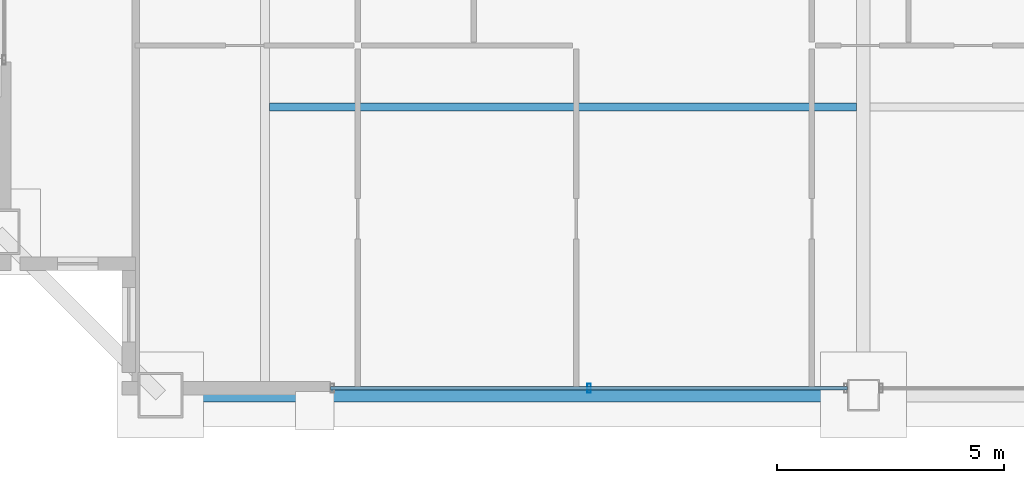
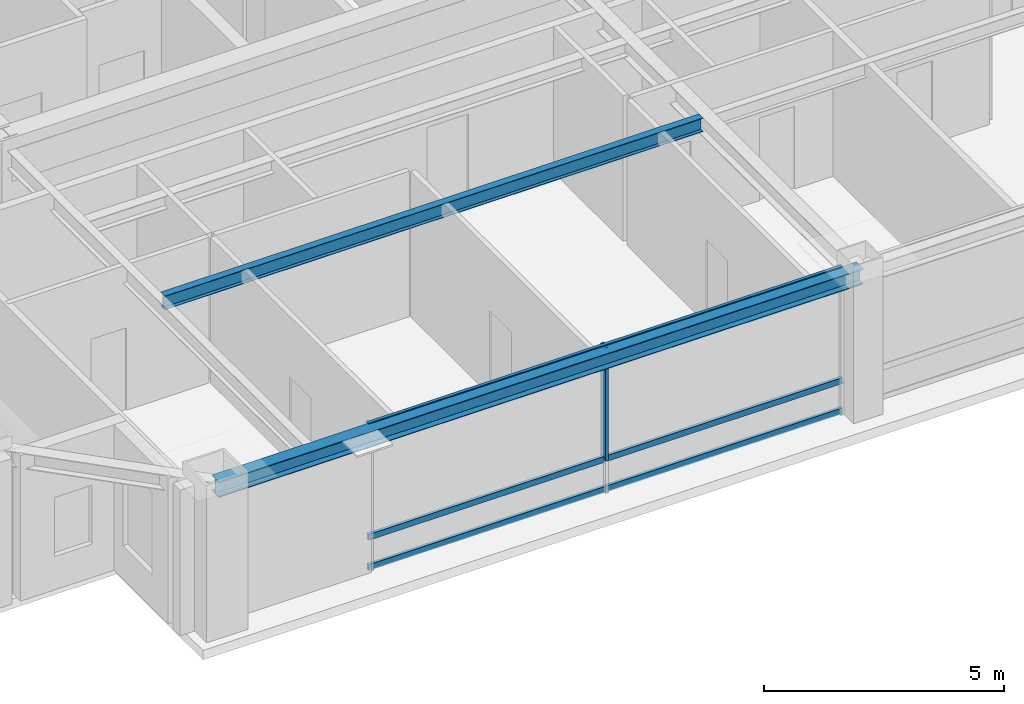
# One storey, part 5 of 34: 4 members, 2 beams, 1 element without a shape of its own.
"""IFC4 building model written with IfcOpenShell, lengths in metres."""

from ifc_helpers import new_model, si_unit, direction, frame, origin, origin_2d, place, context, subcontext, project, spatial, hollow_rectangle, i_section, extrude, source, transform, mapped, material, layer, layer_set, material_profile, profile_set, type_object, element, aggregate, save


model = new_model("IFC4")

# Units and contexts
model_context = context("Model", 3, precision=1e-05, world=origin(), true_north=direction((0.0, 1.0)))
body_context = subcontext(model_context, "Body", "Model", "MODEL_VIEW")
ifc_project = project(units=[si_unit("LENGTHUNIT", "METRE"), si_unit("AREAUNIT", "SQUARE_METRE"), si_unit("VOLUMEUNIT", "CUBIC_METRE"), si_unit("PLANEANGLEUNIT", "RADIAN"), si_unit("MASSUNIT", "GRAM", prefix="KILO"), si_unit("THERMODYNAMICTEMPERATUREUNIT", "KELVIN"), si_unit("POWERUNIT", "WATT")], contexts=[model_context])

# Site, building, storey
site_placement = place(None, origin())
site = spatial("IfcSite", under=ifc_project, at=site_placement, CompositionType="ELEMENT")
building_placement = place(site_placement, origin())
building = spatial("IfcBuilding", under=site, at=building_placement, Name="Yuzanri Waterfront Tower", CompositionType="ELEMENT")
storey_placement = place(building_placement, frame((0.0, 0.0, 347.199951171875)))
storey = spatial("IfcBuildingStorey", under=building, at=storey_placement, Name="L93", CompositionType="ELEMENT", Elevation=347.199951171875)

# Beams
ifc_material_1 = material(Name="Steel Q355B", Category="steel")
ifc_material_profile_1 = material_profile(ifc_material_1, i_section(OverallWidth=0.175048828125, OverallDepth=0.35009765625, WebThickness=0.007080078125, FlangeThickness=0.010986328125, at=origin_2d()), Name="HN 350x175x7x11")
ifc_profile_set_1 = profile_set([ifc_material_profile_1], Name="Steel Q355B")
beam_type_1 = type_object("IfcBeamType", Name="Floor Joist Q355B HN 350x175", PredefinedType="JOIST", material=ifc_profile_set_1)
shared_shape_1 = source(origin(), body_context, "Body", "SweptSolid", [
    extrude(i_section(OverallWidth=0.175048828125, OverallDepth=0.35009765625, WebThickness=0.007080078125, FlangeThickness=0.010986328125, at=origin_2d()), origin(), (0.0, 0.0, 1.0), 12.9501953125),
])
beam_1_placement = place(storey_placement, frame((23.89990234375, 13.050048828125, 3.525146484375), z_axis=(1.0, 0.0, 0.0), x_axis=(0.0, 1.0, 0.0)))
element("IfcBeam", 1, at=beam_1_placement, inside=storey, type_object=beam_type_1, Name="L93 South Bay Joist W", PredefinedType="JOIST", context=body_context, shape_type="MappedRepresentation", body=[
    mapped(shared_shape_1, transform((0.0, 0.0, 0.0), scale=1.0)),
])
ifc_material_2 = material(Name="Steel Q355B", Category="steel")
ifc_material_profile_2 = material_profile(ifc_material_2, i_section(OverallWidth=0.300048828125, OverallDepth=0.389892578125, WebThickness=0.010009765625, FlangeThickness=0.01611328125, at=origin_2d()), Name="HM 390x300x10x16")
ifc_profile_set_2 = profile_set([ifc_material_profile_2], Name="Steel Q355B")
beam_type_2 = type_object("IfcBeamType", Name="Perimeter Spandrel Q355B HM 390x300", PredefinedType="SPANDREL", material=ifc_profile_set_2)
shared_shape_2 = source(origin(), body_context, "Body", "SweptSolid", [
    extrude(i_section(OverallWidth=0.300048828125, OverallDepth=0.389892578125, WebThickness=0.010009765625, FlangeThickness=0.01611328125, at=origin_2d()), origin(), (0.0, 0.0, 1.0), 15.5),
])
beam_2_placement = place(storey_placement, frame((21.5, 6.699951171875, 3.505126953125), z_axis=(1.0, 0.0, 0.0), x_axis=(0.0, 1.0, 0.0)))
element("IfcBeam", 2, at=beam_2_placement, inside=storey, type_object=beam_type_2, Name="L93 Perimeter Spandrel S1-S2", PredefinedType="SPANDREL", context=body_context, shape_type="MappedRepresentation", body=[
    mapped(shared_shape_2, transform((0.0, 0.0, 0.0), scale=1.0)),
])

# Curtain wall, members
ifc_material_3 = material(Name="Anodized Architectural Bronze", Category="metal")
ifc_layer = layer(ifc_material_3, 0.159912109375)
ifc_layer_set = layer_set([ifc_layer], Name="Anodized Architectural Bronze")
curtain_wall_type = type_object("IfcCurtainWallType", Name="Anodized Bronze High-Rise Penthouse High-Wind Unitized Curtain Wall 6900", PredefinedType="NOTDEFINED", material=ifc_layer_set)
curtain_wall_placement = place(storey_placement, origin())
curtain_wall = element("IfcCurtainWall", 3, at=curtain_wall_placement, inside=storey, type_object=curtain_wall_type, Name="L93 Curtain Wall CW-L93-SL", PredefinedType="NOTDEFINED")
ifc_material_4 = material(Name="Anodized Architectural Bronze", Category="metal")
ifc_material_profile_3 = material_profile(ifc_material_4, hollow_rectangle(XDim=0.074951171875, YDim=0.14990234375, WallThickness=0.00390625, at=origin_2d()), Name="CWT 75x150")
ifc_profile_set_3 = profile_set([ifc_material_profile_3], Name="Anodized Architectural Bronze")
member_type_1 = type_object("IfcMemberType", Name="Anodized Bronze Primary Curtain-Wall Transom 75x150", PredefinedType="USERDEFINED", material=ifc_profile_set_3)
shared_shape_3 = source(origin(), body_context, "Body", "SweptSolid", [
    extrude(hollow_rectangle(XDim=0.074951171875, YDim=0.14990234375, WallThickness=0.00390625, at=origin_2d()), origin(), (0.0, 0.0, 1.0), 11.39990234375),
])
member_1_placement = place(storey_placement, frame((25.25, 6.85009765625, 0.050048828125), z_axis=(1.0, 0.0, 0.0), x_axis=(0.0, 1.0, 0.0)))
member_1 = element("IfcMember", 4, at=member_1_placement, type_object=member_type_1, Name="CW-L93-SL Transom 1", ObjectType="TRANSOM", PredefinedType="USERDEFINED", context=body_context, shape_type="MappedRepresentation", body=[
    mapped(shared_shape_3, transform((0.0, 0.0, 0.0), scale=1.0)),
])
member_2_placement = place(storey_placement, frame((25.25, 6.85009765625, 0.820068359375), z_axis=(1.0, 0.0, 0.0), x_axis=(0.0, 1.0, 0.0)))
member_2 = element("IfcMember", 5, at=member_2_placement, type_object=member_type_1, Name="CW-L93-SL Transom 2", ObjectType="TRANSOM", PredefinedType="USERDEFINED", context=body_context, shape_type="MappedRepresentation", body=[
    mapped(shared_shape_3, transform((0.0, 0.0, 0.0), scale=1.0)),
])
member_3_placement = place(storey_placement, frame((25.25, 6.85009765625, 3.650146484375), z_axis=(1.0, 0.0, 0.0), x_axis=(0.0, 1.0, 0.0)))
member_3 = element("IfcMember", 6, at=member_3_placement, type_object=member_type_1, Name="CW-L93-SL Transom 3", ObjectType="TRANSOM", PredefinedType="USERDEFINED", context=body_context, shape_type="MappedRepresentation", body=[
    mapped(shared_shape_3, transform((0.0, 0.0, 0.0), scale=1.0)),
])
ifc_material_5 = material(Name="Anodized Architectural Bronze", Category="metal")
ifc_material_profile_4 = material_profile(ifc_material_5, hollow_rectangle(XDim=0.074951171875, YDim=0.199951171875, WallThickness=0.00390625, at=origin_2d()), Name="CWM 75x200")
ifc_profile_set_4 = profile_set([ifc_material_profile_4], Name="Anodized Architectural Bronze")
member_type_2 = type_object("IfcMemberType", Name="Anodized Bronze Primary Curtain-Wall Mullion 75x200", PredefinedType="MULLION", material=ifc_profile_set_4)
shared_shape_4 = source(origin(), body_context, "Body", "SweptSolid", [
    extrude(hollow_rectangle(XDim=0.074951171875, YDim=0.199951171875, WallThickness=0.00390625, at=origin_2d()), origin(), (0.0, 0.0, 1.0), 2.8779296875),
])
member_4_placement = place(storey_placement, frame((30.949951171875, 6.85009765625, 0.822021484375), z_axis=(0.0, 0.0, 1.0), x_axis=(1.0, 0.0, 0.0)))
member_4 = element("IfcMember", 7, at=member_4_placement, type_object=member_type_2, Name="CW-L93-SL Upper Mullion 01", PredefinedType="MULLION", context=body_context, shape_type="MappedRepresentation", body=[
    mapped(shared_shape_4, transform((0.0, 0.0, 0.0), scale=1.0)),
])
aggregate(curtain_wall, [member_4, member_1, member_2, member_3])

save(model, "model.ifc")
